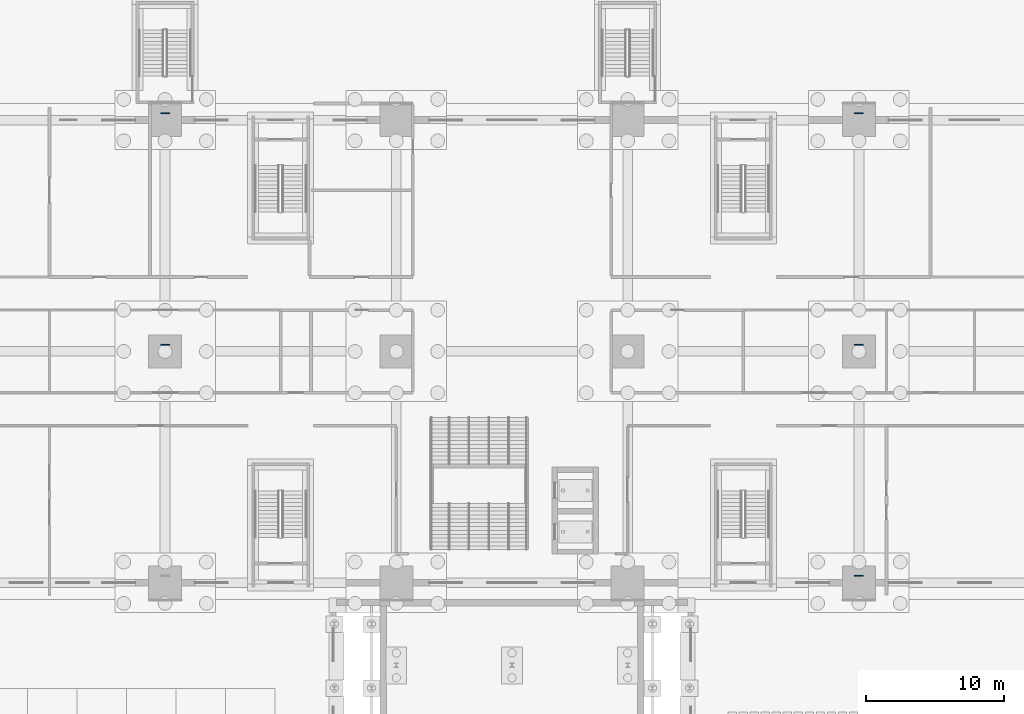
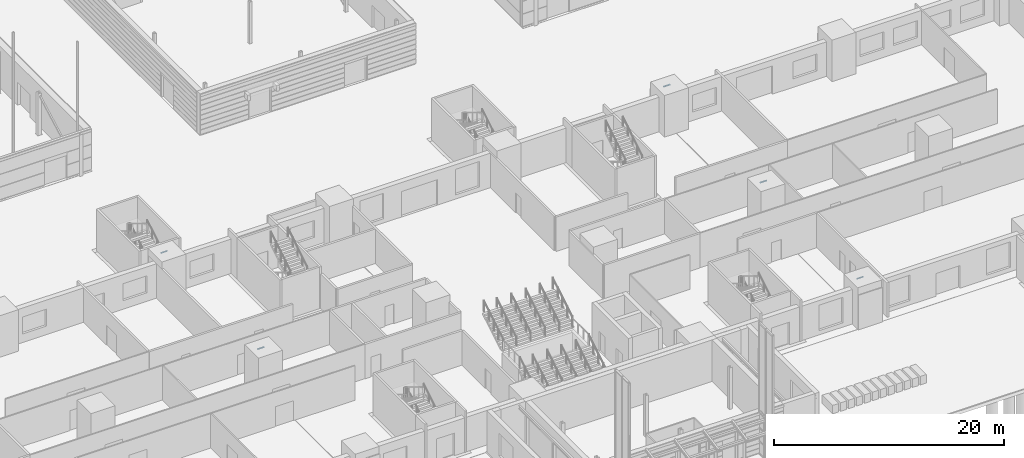
# One storey, part 100 of 139: 5 discrete accessories.
"""IFC4 building model written with IfcOpenShell, lengths in metres."""

from ifc_helpers import new_model, si_unit, direction, frame, origin, origin_2d, place, context, subcontext, project, spatial, rectangle, extrude, material, material_profile, profile_set, type_object, element, save


model = new_model("IFC4")

# Units and contexts
model_context = context("Model", 3, precision=1e-05, world=origin(), true_north=direction((0.0, 1.0)))
body_context = subcontext(model_context, "Body", "Model", "MODEL_VIEW")
ifc_project = project(units=[si_unit("LENGTHUNIT", "METRE"), si_unit("AREAUNIT", "SQUARE_METRE"), si_unit("VOLUMEUNIT", "CUBIC_METRE"), si_unit("PLANEANGLEUNIT", "RADIAN"), si_unit("MASSUNIT", "GRAM", prefix="KILO")], contexts=[model_context])

# Site, building, storey
site_placement = place(None, origin())
site = spatial("IfcSite", under=ifc_project, at=site_placement, CompositionType="ELEMENT")
building_placement = place(site_placement, origin())
building = spatial("IfcBuilding", under=site, at=building_placement, Name="Verrick Yard Athletic Hall", CompositionType="ELEMENT")
storey_placement = place(building_placement, origin())
storey = spatial("IfcBuildingStorey", under=building, at=storey_placement, Name="L00", CompositionType="ELEMENT", Elevation=0.0)

# Discrete accessories
ifc_material = material(Name="Structural steel 350W (CSA G40.21)", Category="steel")
ifc_material_profile = material_profile(ifc_material, rectangle(XDim=0.074951171875, YDim=0.074951171875, at=origin_2d()), Name="STR Slip dowel SD1")
ifc_profile_set = profile_set([ifc_material_profile], Name="Structural steel 350W (CSA G40.21)")
discrete_accessory_type = type_object("IfcDiscreteAccessoryType", Name="STR Slip dowel SD1", PredefinedType="BRACKET", material=ifc_profile_set)
for number, where, z_axis, x_axis, name in (
    (1, (73.27490234375, 36.5, 4.02490234375), (1.0, 0.0, 0.0), (0.0, 1.0, 0.0), "Slip dowel J1-2 L01"),
    (2, (73.27490234375, 53.300048828125, 4.02490234375), (1.0, 0.0, 0.0), (0.0, 1.0, 0.0), "Slip dowel J1-3 L01"),
):
    element("IfcDiscreteAccessory", number, at=place(storey_placement, frame(where, z_axis=z_axis, x_axis=x_axis)), inside=storey, type_object=discrete_accessory_type, Name=name, PredefinedType="BRACKET", context=body_context, shape_type="SweptSolid", body=[
        extrude(rectangle(XDim=0.074951171875, YDim=0.074951171875, at=origin_2d()), origin(), (0.0, 0.0, 1.0), 0.650146484375),
    ])
for number, where, z_axis, x_axis, name in (
    (3, (123.675048828125, 19.699951171875, 4.02490234375), (1.0, 0.0, 0.0), (0.0, 1.0, 0.0), "Slip dowel J2-1 L01"),
    (4, (123.675048828125, 36.5, 4.02490234375), (1.0, 0.0, 0.0), (0.0, 1.0, 0.0), "Slip dowel J2-2 L01"),
    (5, (123.675048828125, 53.300048828125, 4.02490234375), (1.0, 0.0, 0.0), (0.0, 1.0, 0.0), "Slip dowel J2-3 L01"),
):
    element("IfcDiscreteAccessory", number, at=place(storey_placement, frame(where, z_axis=z_axis, x_axis=x_axis)), inside=storey, type_object=discrete_accessory_type, Name=name, PredefinedType="BRACKET", context=body_context, shape_type="SweptSolid", body=[
        extrude(rectangle(XDim=0.074951171875, YDim=0.074951171875, at=origin_2d()), origin(), (0.0, 0.0, 1.0), 0.64990234375),
    ])

save(model, "model.ifc")
